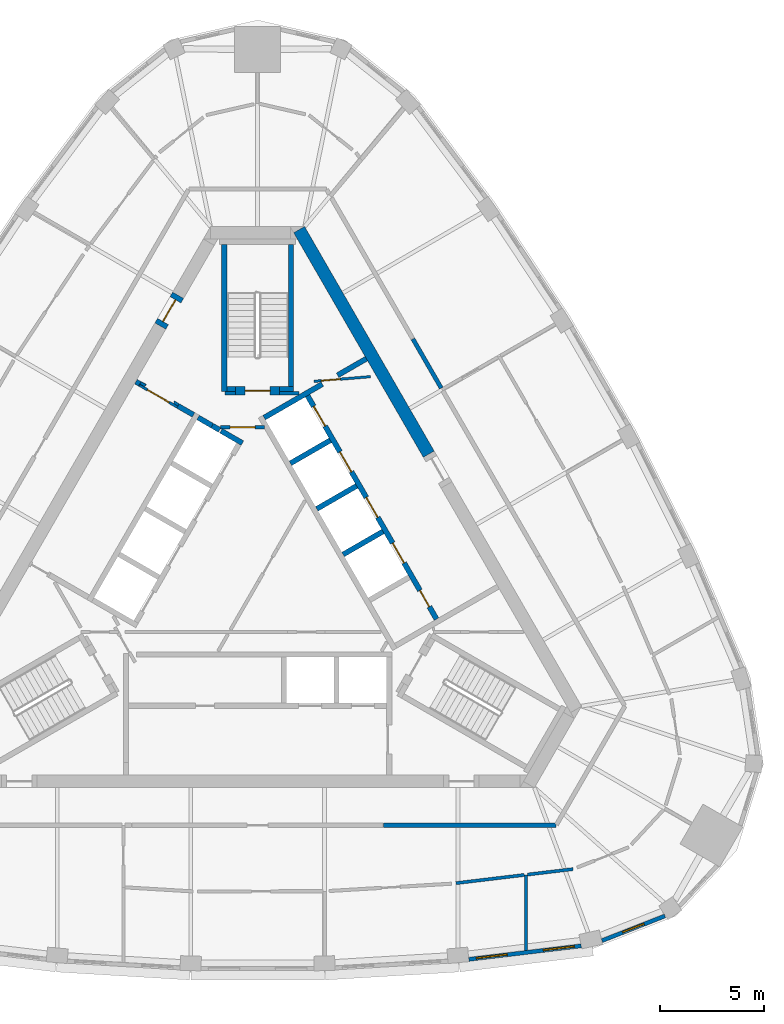
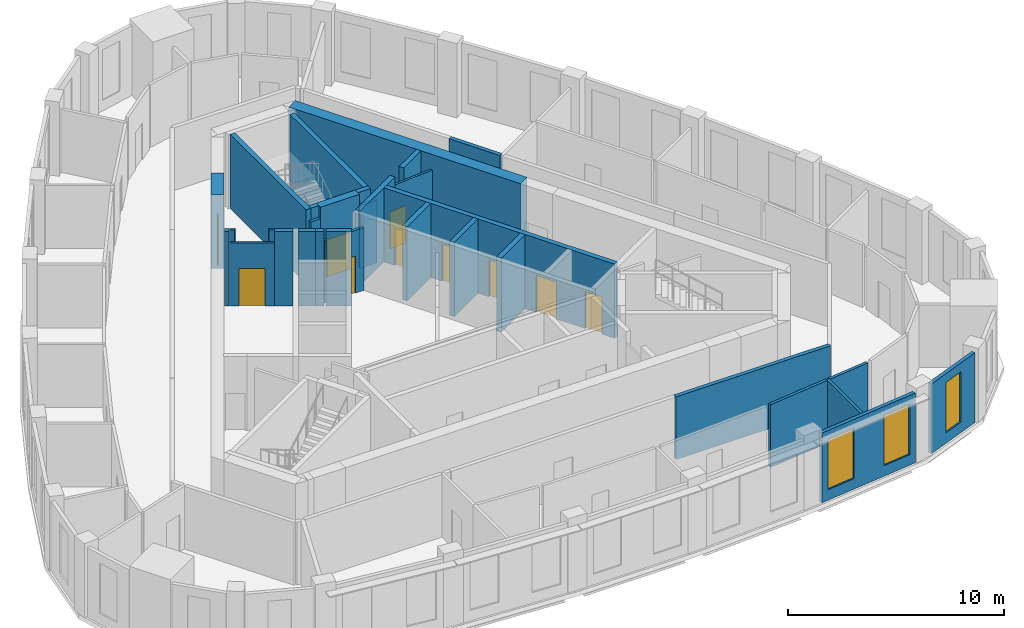
# One storey, part 6 of 10: 32 walls, 10 doors, 3 windows, 13 openings.
"""IFC4 building model written with IfcOpenShell, lengths in metres."""

import ifcopenshell
import ifcopenshell.guid

model = None  # the IFC model being written
_history = None  # IfcOwnerHistory: only IFC2X3 demands one
_inside = {}  # id of a spatial element -> (the spatial element, [elements in it])
_under = {}  # id of a project, library or spatial element -> (it, [spatial elements below it])
_declared = {}  # id of a project -> (the project, [libraries it declares])
_typed = {}  # id of a type object -> (the type object, [elements of that type])
_made_of = {}  # id of a material, layer set ... -> (it, [elements and type objects made of it])


def new_model(schema):
    """Start an empty IFC model of exactly this schema.

    Asked for "IFC4X3", IfcOpenShell would pick the latest addendum, in which some entities
    have other attributes; the version numbers below select the first issue.
    IFC2X3 requires an IfcOwnerHistory on every rooted entity: one is made here for all.
    """
    global model, _history
    if schema == "IFC4X3":
        model = ifcopenshell.file(schema_version=(4, 3, 0, 0))
    else:
        model = ifcopenshell.file(schema=schema)
    _inside.clear()
    _under.clear()
    _declared.clear()
    _typed.clear()
    _made_of.clear()
    _history = None
    if model.schema == "IFC2X3":
        org = make("IfcOrganization", Name="unknown")
        user = make(
            "IfcPersonAndOrganization",
            ThePerson=make("IfcPerson", FamilyName="unknown"),
            TheOrganization=org,
        )
        app = make(
            "IfcApplication",
            ApplicationDeveloper=org,
            Version="unknown",
            ApplicationFullName="unknown",
            ApplicationIdentifier="unknown",
        )
        _history = make(
            "IfcOwnerHistory",
            OwningUser=user,
            OwningApplication=app,
            ChangeAction="ADDED",
            CreationDate=0,
        )
    return model


def make(cls, **values):
    """One entity of the class cls with the attributes given. An attribute that is None is left unset."""
    return model.create_entity(
        cls, **{name: value for name, value in values.items() if value is not None}
    )


def rooted(cls, **values):
    """An entity with a GlobalId (a new one), such as an element, a storey or a relation."""
    return make(cls, GlobalId=ifcopenshell.guid.new(), OwnerHistory=_history, **values)


def si_unit(unit_type, name, prefix=None):
    """IfcSIUnit, for example si_unit("LENGTHUNIT", "METRE", prefix="MILLI")."""
    return make("IfcSIUnit", UnitType=unit_type, Prefix=prefix, Name=name)


def assignment(units):
    """IfcUnitAssignment: the units of a project."""
    return None if units is None else make("IfcUnitAssignment", Units=units)


def point(xyz):
    """IfcCartesianPoint."""
    return None if xyz is None else make("IfcCartesianPoint", Coordinates=xyz)


def direction(xyz):
    """IfcDirection."""
    return None if xyz is None else make("IfcDirection", DirectionRatios=xyz)


def frame(location, z_axis=None, x_axis=None):
    """IfcAxis2Placement3D, a coordinate frame: its origin and axes. An axis left out is left unset."""
    return make(
        "IfcAxis2Placement3D",
        Location=point(location),
        Axis=direction(z_axis),
        RefDirection=direction(x_axis),
    )


def frame_2d(location, x_axis=None):
    """IfcAxis2Placement2D, a coordinate frame in the plane: its origin and x axis."""
    return make(
        "IfcAxis2Placement2D", Location=point(location), RefDirection=direction(x_axis)
    )


def origin():
    """The frame at (0, 0, 0) with its axes left unset."""
    return frame((0.0, 0.0, 0.0))


def place(relative_to, where):
    """IfcLocalPlacement: puts the frame where relative to a parent placement (None: the world)."""
    return make(
        "IfcLocalPlacement", PlacementRelTo=relative_to, RelativePlacement=where
    )


def context(
    kind, dimensions, precision=None, world=None, true_north=None, identifier=None
):
    """IfcGeometricRepresentationContext, for example the 3D "Model" context."""
    return make(
        "IfcGeometricRepresentationContext",
        ContextIdentifier=identifier,
        ContextType=kind,
        CoordinateSpaceDimension=dimensions,
        Precision=precision,
        WorldCoordinateSystem=world,
        TrueNorth=true_north,
    )


def subcontext(parent, identifier, kind, view, scale=None):
    """IfcGeometricRepresentationSubContext, for example "Body" below "Model"."""
    return make(
        "IfcGeometricRepresentationSubContext",
        ContextIdentifier=identifier,
        ContextType=kind,
        ParentContext=parent,
        TargetScale=scale,
        TargetView=view,
    )


def project(units=None, contexts=None):
    """IfcProject with its units and contexts."""
    return rooted(
        "IfcProject",
        Name="project",
        RepresentationContexts=contexts,
        UnitsInContext=assignment(units),
    )


def spatial(cls, under=None, at=None, **own):
    """A site, building, storey or space (cls), placed at a placement, below another one or the project."""
    s = rooted(cls, ObjectPlacement=at, **own)
    if under is not None:
        _under.setdefault(under.id(), (under, []))[1].append(s)
    return s


def polyline(points):
    """IfcPolyline through the points."""
    return make("IfcPolyline", Points=[point(p) for p in points])


def profile(cls, at=None, kind="AREA", **sizes):
    """A parametric profile (cls). Its sizes go by their IFC names, for example OverallWidth=200.0."""
    return make(cls, ProfileType=kind, Position=at, **sizes)


def rectangle(**sizes):
    """IfcRectangleProfileDef."""
    return profile("IfcRectangleProfileDef", **sizes)


def outline(outer, holes=None, kind="AREA"):
    """IfcArbitraryClosedProfileDef: a profile drawn as a closed curve; with holes, ...WithVoids."""
    if holes is None:
        return make("IfcArbitraryClosedProfileDef", ProfileType=kind, OuterCurve=outer)
    return make(
        "IfcArbitraryProfileDefWithVoids",
        ProfileType=kind,
        OuterCurve=outer,
        InnerCurves=holes,
    )


def extrude(swept, where, along, depth):
    """IfcExtrudedAreaSolid: the profile swept, set in the frame where, extruded along a direction by depth."""
    return make(
        "IfcExtrudedAreaSolid",
        SweptArea=swept,
        Position=where,
        ExtrudedDirection=direction(along),
        Depth=depth,
    )


def shape(context_of_items, identifier, shape_type, items):
    """IfcShapeRepresentation: the items that make up one representation, for example the "Body"."""
    return make(
        "IfcShapeRepresentation",
        ContextOfItems=context_of_items,
        RepresentationIdentifier=identifier,
        RepresentationType=shape_type,
        Items=items,
    )


def material(Name=None, Category=None):
    """IfcMaterial."""
    return make("IfcMaterial", Name=Name, Category=Category)


def layer(
    of_material, thickness, ventilated=None, Name=None, Category=None, Priority=None
):
    """IfcMaterialLayer: one layer of a wall or slab, of a material (None: an air gap)."""
    return make(
        "IfcMaterialLayer",
        Material=of_material,
        LayerThickness=thickness,
        IsVentilated=ventilated,
        Name=Name,
        Category=Category,
        Priority=Priority,
    )


def layer_set(layers, Name=None):
    """IfcMaterialLayerSet."""
    return make("IfcMaterialLayerSet", MaterialLayers=layers, LayerSetName=Name)


def made_of(thing, what):
    """Note that an element or type object is made of a material, layer set ...; save() writes the relation."""
    if what is not None:
        _made_of.setdefault(what.id(), (what, []))[1].append(thing)
    return thing


def type_object(cls, material=None, **own):
    """A type object (cls), such as IfcWallType, which elements share."""
    return made_of(rooted(cls, **own), material)


def element(
    cls,
    number,
    at=None,
    inside=None,
    cuts=None,
    type_object=None,
    material=None,
    context=None,
    identifier="Body",
    shape_type=None,
    held_by="IfcProductDefinitionShape",
    body=None,
    shapes=None,
    **own,
):
    """One element of the class cls, such as IfcWall. Its Tag is "e" and its number.

    at: its placement. inside: the storey or other place that contains it. cuts: it is an
    opening in that element (IfcRelVoidsElement). A single representation is given by context,
    identifier, shape_type and body (its items); several are given by shapes. held_by: the class
    of the entity that holds the representations. save() writes the other relations.
    """
    e = rooted(cls, Tag="e%d" % number, ObjectPlacement=at, **own)
    if body is not None:
        shapes = [shape(context, identifier, shape_type, body)]
    if shapes is not None:
        e.Representation = make(held_by, Representations=shapes)
    if inside is not None:
        _inside.setdefault(inside.id(), (inside, []))[1].append(e)
    if cuts is not None:
        rooted(
            "IfcRelVoidsElement", RelatingBuildingElement=cuts, RelatedOpeningElement=e
        )
    if type_object is not None:
        _typed.setdefault(type_object.id(), (type_object, []))[1].append(e)
    return made_of(e, material)


def fill(opening, filler):
    """IfcRelFillsElement: the door or window that sits in an opening."""
    return rooted(
        "IfcRelFillsElement",
        RelatingOpeningElement=opening,
        RelatedBuildingElement=filler,
    )


def aggregate(whole, parts):
    """IfcRelAggregates: a whole, such as a stair, and the parts it consists of."""
    return rooted("IfcRelAggregates", RelatingObject=whole, RelatedObjects=parts)


def save(model, path):
    """Write the relations noted so far, then the file.

    IfcRelAggregates (storeys below a building ...), IfcRelContainedInSpatialStructure (elements
    in a storey), IfcRelDefinesByType, IfcRelAssociatesMaterial and IfcRelDeclares: one each for
    every whole, place, type object, material and project.
    """
    for whole, parts in _under.values():
        aggregate(whole, parts)
    for where, things in _inside.values():
        rooted(
            "IfcRelContainedInSpatialStructure",
            RelatedElements=things,
            RelatingStructure=where,
        )
    for kind, things in _typed.values():
        rooted("IfcRelDefinesByType", RelatedObjects=things, RelatingType=kind)
    for what, things in _made_of.values():
        rooted("IfcRelAssociatesMaterial", RelatedObjects=things, RelatingMaterial=what)
    for by, libraries in _declared.values():
        rooted("IfcRelDeclares", RelatingContext=by, RelatedDefinitions=libraries)
    model.write(path)


model = new_model("IFC4")

# Units and contexts
model_context = context("Model", 3, precision=1e-05, world=origin(), true_north=direction((0.0, 1.0)))
body_context = subcontext(model_context, "Body", "Model", "MODEL_VIEW")
ifc_project = project(units=[si_unit("LENGTHUNIT", "METRE"), si_unit("AREAUNIT", "SQUARE_METRE"), si_unit("VOLUMEUNIT", "CUBIC_METRE"), si_unit("PLANEANGLEUNIT", "RADIAN"), si_unit("MASSUNIT", "GRAM", prefix="KILO")], contexts=[model_context])

# Site, building, storey
site_placement = place(None, origin())
site = spatial("IfcSite", under=ifc_project, at=site_placement, CompositionType="ELEMENT")
building_placement = place(site_placement, origin())
building = spatial("IfcBuilding", under=site, at=building_placement, Name="Mestral Congress Tower", CompositionType="ELEMENT")
storey_placement = place(building_placement, frame((0.0, 0.0, 283.800048828125)))
storey = spatial("IfcBuildingStorey", under=building, at=storey_placement, Name="L66", CompositionType="ELEMENT", Elevation=283.800048828125)

# Walls
ifc_material_1 = material(Name="Fire-rated board partition")
ifc_layer_1 = layer(ifc_material_1, 0.14990234375)
ifc_layer_set_1 = layer_set([ifc_layer_1], Name="Fire-rated board partition")
wall_type_1 = type_object("IfcWallType", Name="Core partition 150", PredefinedType="PARTITIONING", material=ifc_layer_set_1)
wall_1_placement = place(storey_placement, frame((1.050048828125, 8.62548828125, 0.0), z_axis=(0.0, 0.0, 1.0), x_axis=(1.0, 0.0, 0.0)))
element("IfcWall", 1, at=wall_1_placement, inside=storey, type_object=wall_type_1, Name="L66 core wall", PredefinedType="PARTITIONING", context=body_context, shape_type="SweptSolid", body=[
    extrude(rectangle(XDim=0.9287109375, YDim=0.14990234375, at=frame_2d((0.46435546875, 0.0))), origin(), (0.0, 0.0, 1.0), 3.550048828125),
])
wall_2_placement = place(storey_placement, frame((-1.56396484375, 8.62548828125, 0.0), z_axis=(0.0, 0.0, 1.0), x_axis=(1.0, 0.0, 0.0)))
element("IfcWall", 2, at=wall_2_placement, inside=storey, type_object=wall_type_1, Name="L66 core wall", PredefinedType="PARTITIONING", context=body_context, shape_type="SweptSolid", body=[
    extrude(rectangle(XDim=0.513916015625, YDim=0.14990234375, at=frame_2d((0.2568359375, 0.0))), origin(), (0.0, 0.0, 1.0), 3.550048828125),
])

# Wall, opening, door
wall_3_placement = place(storey_placement, frame((-1.765380859375, 7.0, 0.0), z_axis=(0.0, 0.0, 1.0), x_axis=(1.0, 0.0, 0.0)))
wall_3 = element("IfcWall", 3, at=wall_3_placement, inside=storey, type_object=wall_type_1, Name="L66 door wall", PredefinedType="PARTITIONING", context=body_context, shape_type="SweptSolid", body=[
    extrude(rectangle(XDim=2.10009765625, YDim=0.14990234375, at=frame_2d((1.050048828125, 0.0))), origin(), (0.0, 0.0, 1.0), 3.550048828125),
])
opening_1_placement = place(wall_3_placement, frame((0.449951171875, 0.0, 0.0)))
opening_1 = element("IfcOpeningElement", 4, at=opening_1_placement, cuts=wall_3, Name="Opening CD2-FF", PredefinedType="OPENING", context=body_context, shape_type="SweptSolid", body=[
    extrude(rectangle(XDim=1.199951171875, YDim=2.10009765625, at=frame_2d((0.60009765625, 1.050048828125))), frame((0.0, 0.0849609375, 0.0), z_axis=(0.0, -1.0, 0.0), x_axis=(1.0, 0.0, 0.0)), (0.0, 0.0, 1.0), 0.169921875),
])
ifc_material_2 = material(Name="Fire-rated steel door set", Category="steel")
door_type_1 = type_object("IfcDoorType", Name="Core door CD 1200x2100", OperationType="SINGLE_SWING_LEFT", PredefinedType="DOOR", material=ifc_material_2)
door_1_placement = place(opening_1_placement, origin())
door_1 = element("IfcDoor", 5, at=door_1_placement, inside=storey, type_object=door_type_1, Name="Door CD2-FF", OperationType="SINGLE_SWING_LEFT", OverallHeight=2.10009765625, OverallWidth=1.199951171875, PredefinedType="DOOR", context=body_context, shape_type="SweptSolid", body=[
    extrude(rectangle(XDim=1.199951171875, YDim=2.10009765625, at=frame_2d((0.60009765625, 1.050048828125))), frame((0.0, 0.02490234375, 0.0), z_axis=(0.0, -1.0, 0.0), x_axis=(1.0, 0.0, 0.0)), (0.0, 0.0, 1.0), 0.050048828125),
])
fill(opening_1, door_1)

ifc_layer_2 = layer(ifc_material_1, 0.1201171875)
ifc_layer_set_2 = layer_set([ifc_layer_2], Name="Fire-rated board partition")
wall_type_2 = type_object("IfcWallType", Name="Core partition 150 door-wall 120", PredefinedType="PARTITIONING", material=ifc_layer_set_2)
wall_4_placement = place(storey_placement, frame((5.3984375, 9.418701171875, 0.0), z_axis=(0.0, 0.0, 1.0), x_axis=(-0.996653416376, -0.081743303248, 0.0)))
wall_4 = element("IfcWall", 6, at=wall_4_placement, inside=storey, type_object=wall_type_2, Name="L66 door wall", PredefinedType="PARTITIONING", context=body_context, shape_type="SweptSolid", body=[
    extrude(rectangle(XDim=2.699951171875, YDim=0.119873046875, at=frame_2d((1.35009765625, 0.0))), origin(), (0.0, 0.0, 1.0), 3.550048828125),
])
opening_2_placement = place(wall_4_placement, frame((1.449951171875, 0.0, 0.0)))
opening_2 = element("IfcOpeningElement", 7, at=opening_2_placement, cuts=wall_4, Name="Opening TD2", PredefinedType="OPENING", context=body_context, shape_type="SweptSolid", body=[
    extrude(rectangle(XDim=0.89990234375, YDim=2.10009765625, at=frame_2d((0.449951171875, 1.050048828125))), frame((0.0, 0.06982421875, 0.0), z_axis=(0.0, -1.0, 0.0), x_axis=(1.0, 0.0, 0.0)), (0.0, 0.0, 1.0), 0.139892578125),
])
door_type_2 = type_object("IfcDoorType", Name="Core door SR 900x2100", OperationType="SINGLE_SWING_LEFT", PredefinedType="DOOR", material=ifc_material_2)
door_2_placement = place(opening_2_placement, origin())
door_2 = element("IfcDoor", 8, at=door_2_placement, inside=storey, type_object=door_type_2, Name="Door TD2", OperationType="SINGLE_SWING_LEFT", OverallHeight=2.10009765625, OverallWidth=0.89990234375, PredefinedType="DOOR", context=body_context, shape_type="SweptSolid", body=[
    extrude(rectangle(XDim=0.89990234375, YDim=2.10009765625, at=frame_2d((0.449951171875, 1.050048828125))), frame((0.0, 0.02490234375, 0.0), z_axis=(0.0, -1.0, 0.0), x_axis=(1.0, 0.0, 0.0)), (0.0, 0.0, 1.0), 0.050048828125),
])
fill(opening_2, door_2)

wall_5_placement = place(storey_placement, frame((-5.65869140625, 9.01171875, 0.0), z_axis=(0.0, 0.0, 1.0), x_axis=(0.866009402589, -0.500027713859, 0.0)))
wall_5 = element("IfcWall", 9, at=wall_5_placement, inside=storey, type_object=wall_type_2, Name="L66 door wall", PredefinedType="PARTITIONING", context=body_context, shape_type="SweptSolid", body=[
    extrude(rectangle(XDim=2.10009765625, YDim=0.1201171875, at=frame_2d((1.050048828125, 0.0))), origin(), (0.0, 0.0, 1.0), 3.550048828125),
])
opening_3_placement = place(wall_5_placement, frame((0.449951171875, 0.0, 0.0)))
opening_3 = element("IfcOpeningElement", 10, at=opening_3_placement, cuts=wall_5, Name="Opening LB2-WL2", PredefinedType="OPENING", context=body_context, shape_type="SweptSolid", body=[
    extrude(rectangle(XDim=1.199951171875, YDim=2.10009765625, at=frame_2d((0.60009765625, 1.050048828125))), frame((0.0, 0.070068359375, 0.0), z_axis=(0.0, -1.0, 0.0), x_axis=(1.0, 0.0, 0.0)), (0.0, 0.0, 1.0), 0.14013671875),
])
door_type_3 = type_object("IfcDoorType", Name="Core door LB 1200x2100", OperationType="SINGLE_SWING_LEFT", PredefinedType="DOOR", material=ifc_material_2)
door_3_placement = place(opening_3_placement, origin())
door_3 = element("IfcDoor", 11, at=door_3_placement, inside=storey, type_object=door_type_3, Name="Door LB2-WL2", OperationType="SINGLE_SWING_LEFT", OverallHeight=2.10009765625, OverallWidth=1.199951171875, PredefinedType="DOOR", context=body_context, shape_type="SweptSolid", body=[
    extrude(rectangle(XDim=1.199951171875, YDim=2.10009765625, at=frame_2d((0.60009765625, 1.050048828125))), frame((0.0, 0.02490234375, 0.0), z_axis=(0.0, -1.0, 0.0), x_axis=(1.0, 0.0, 0.0)), (0.0, 0.0, 1.0), 0.050048828125),
])
fill(opening_3, door_3)

# Wall
ifc_material_3 = material(Name="Concrete C60/75", Category="concrete")
ifc_layer_3 = layer(ifc_material_3, 0.60009765625)
ifc_layer_set_3 = layer_set([ifc_layer_3], Name="Concrete C60/75")
wall_type_3 = type_object("IfcWallType", Name="Core wall RC 600", PredefinedType="SOLIDWALL", material=ifc_layer_set_3)
wall_6_placement = place(storey_placement, frame((1.98876953125, 16.45556640625, 0.0), z_axis=(0.0, 0.0, 1.0), x_axis=(0.49999102663, -0.8660305845, 0.0)))
element("IfcWall", 12, at=wall_6_placement, inside=storey, type_object=wall_type_3, Name="L66 core wall", PredefinedType="SOLIDWALL", context=body_context, shape_type="SweptSolid", body=[
    extrude(rectangle(XDim=12.406494140625, YDim=0.60009765625, at=frame_2d((6.203125, 0.0))), origin(), (0.0, 0.0, 1.0), 4.199951171875),
])

# Wall, opening, door
wall_7_placement = place(storey_placement, frame((-4.65234375, 11.842041015625, 0.0), z_axis=(0.0, 0.0, 1.0), x_axis=(0.500062241894, 0.865989465428, 0.0)))
wall_7 = element("IfcWall", 13, at=wall_7_placement, inside=storey, type_object=wall_type_3, Name="L66 door wall", PredefinedType="SOLIDWALL", context=body_context, shape_type="SweptSolid", body=[
    extrude(rectangle(XDim=1.699951171875, YDim=0.60009765625, at=frame_2d((0.85009765625, 0.0))), origin(), (0.0, 0.0, 1.0), 4.199951171875),
])
opening_4_placement = place(wall_7_placement, frame((0.25, 0.0, 0.0)))
opening_4 = element("IfcOpeningElement", 14, at=opening_4_placement, cuts=wall_7, Name="Opening XD2", PredefinedType="OPENING", context=body_context, shape_type="SweptSolid", body=[
    extrude(rectangle(XDim=1.199951171875, YDim=2.10009765625, at=frame_2d((0.60009765625, 1.050048828125))), frame((0.0, 0.31005859375, 0.0), z_axis=(0.0, -1.0, 0.0), x_axis=(1.0, 0.0, 0.0)), (0.0, 0.0, 1.0), 0.6201171875),
])
door_type_4 = type_object("IfcDoorType", Name="Core door XD 1200x2100", OperationType="SINGLE_SWING_LEFT", PredefinedType="DOOR", material=ifc_material_2)
door_4_placement = place(opening_4_placement, origin())
door_4 = element("IfcDoor", 15, at=door_4_placement, inside=storey, type_object=door_type_4, Name="Door XD2", OperationType="SINGLE_SWING_LEFT", OverallHeight=2.10009765625, OverallWidth=1.199951171875, PredefinedType="DOOR", context=body_context, shape_type="SweptSolid", body=[
    extrude(rectangle(XDim=1.199951171875, YDim=2.10009765625, at=frame_2d((0.60009765625, 1.050048828125))), frame((0.0, 0.02490234375, 0.0), z_axis=(0.0, -1.0, 0.0), x_axis=(1.0, 0.0, 0.0)), (0.0, 0.0, 1.0), 0.050048828125),
])
fill(opening_4, door_4)

# Wall, openings, windows
ifc_material_4 = material(Name="Precast concrete C40/50 with limestone facing", Category="masonry")
ifc_layer_4 = layer(ifc_material_4, 0.18994140625)
ifc_layer_set_4 = layer_set([ifc_layer_4], Name="Precast concrete C40/50 with limestone facing")
wall_type_4 = type_object("IfcWallType", Name="Facade stone wall 190", PredefinedType="SOLIDWALL", material=ifc_layer_set_4)
wall_8_placement = place(storey_placement, frame((10.110595703125, -18.4677734375, 0.0), z_axis=(0.0, 0.0, 1.0), x_axis=(0.992885582795, 0.119072328769, 0.0)))
wall_8 = element("IfcWall", 16, at=wall_8_placement, inside=storey, type_object=wall_type_4, Name="Facade wall F0-04", PredefinedType="SOLIDWALL", context=body_context, shape_type="SweptSolid", body=[
    extrude(rectangle(XDim=5.4150390625, YDim=0.18994140625, at=frame_2d((2.70751953125, 0.0))), origin(), (0.0, 0.0, 1.0), 3.949951171875),
])
opening_5_placement = place(wall_8_placement, frame((0.357421875, 0.0, 0.60009765625)))
opening_5 = element("IfcOpeningElement", 17, at=opening_5_placement, cuts=wall_8, Name="Opening W6", PredefinedType="OPENING", context=body_context, shape_type="SweptSolid", body=[
    extrude(rectangle(XDim=1.5, YDim=2.85009765625, at=frame_2d((0.75, 1.425048828125))), frame((0.0, 0.10498046875, 0.0), z_axis=(0.0, -1.0, 0.0), x_axis=(1.0, 0.0, 0.0)), (0.0, 0.0, 1.0), 0.2099609375),
])
opening_6_placement = place(wall_8_placement, frame((3.592529296875, 0.0, 0.60009765625)))
opening_6 = element("IfcOpeningElement", 18, at=opening_6_placement, cuts=wall_8, Name="Opening W6", PredefinedType="OPENING", context=body_context, shape_type="SweptSolid", body=[
    extrude(rectangle(XDim=1.5, YDim=2.85009765625, at=frame_2d((0.75, 1.425048828125))), frame((0.0, 0.10498046875, 0.0), z_axis=(0.0, -1.0, 0.0), x_axis=(1.0, 0.0, 0.0)), (0.0, 0.0, 1.0), 0.2099609375),
])
ifc_material_5 = material(Name="Clear low-emissivity double glazing", Category="glass")
window_type_1 = type_object("IfcWindowType", Name="Facade punched window 1500 x 2850 sill 600", PartitioningType="SINGLE_PANEL", PredefinedType="WINDOW", material=ifc_material_5)
window_1_placement = place(opening_5_placement, origin())
window_1 = element("IfcWindow", 19, at=window_1_placement, inside=storey, type_object=window_type_1, Name="Window F0-04a", OverallHeight=2.85009765625, OverallWidth=1.5, PartitioningType="SINGLE_PANEL", PredefinedType="WINDOW", context=body_context, shape_type="SweptSolid", body=[
    extrude(rectangle(XDim=1.5, YDim=2.85009765625, at=frame_2d((0.75, 1.425048828125))), frame((0.0, 0.044921875, 0.0), z_axis=(0.0, -1.0, 0.0), x_axis=(1.0, 0.0, 0.0)), (0.0, 0.0, 1.0), 0.06005859375),
])
fill(opening_5, window_1)
window_2_placement = place(opening_6_placement, origin())
window_2 = element("IfcWindow", 20, at=window_2_placement, inside=storey, type_object=window_type_1, Name="Window F0-04b", OverallHeight=2.85009765625, OverallWidth=1.5, PartitioningType="SINGLE_PANEL", PredefinedType="WINDOW", context=body_context, shape_type="SweptSolid", body=[
    extrude(rectangle(XDim=1.5, YDim=2.85009765625, at=frame_2d((0.75, 1.425048828125))), frame((0.0, 0.044921875, 0.0), z_axis=(0.0, -1.0, 0.0), x_axis=(1.0, 0.0, 0.0)), (0.0, 0.0, 1.0), 0.06005859375),
])
fill(opening_6, window_2)

# Wall, opening, window
wall_9_placement = place(storey_placement, frame((16.48291015625, -17.572998046875, 0.0), z_axis=(0.0, 0.0, 1.0), x_axis=(0.93100888477, 0.364996515709, 0.0)))
wall_9 = element("IfcWall", 21, at=wall_9_placement, inside=storey, type_object=wall_type_4, Name="Facade wall K0-0", PredefinedType="SOLIDWALL", context=body_context, shape_type="SweptSolid", body=[
    extrude(rectangle(XDim=3.23681640625, YDim=0.18994140625, at=frame_2d((1.618408203125, 0.0))), origin(), (0.0, 0.0, 1.0), 3.949951171875),
])
opening_7_placement = place(wall_9_placement, frame((1.068359375, 0.0, 0.60009765625)))
opening_7 = element("IfcOpeningElement", 22, at=opening_7_placement, cuts=wall_9, Name="Opening W7", PredefinedType="OPENING", context=body_context, shape_type="SweptSolid", body=[
    extrude(rectangle(XDim=1.10009765625, YDim=2.85009765625, at=frame_2d((0.550048828125, 1.425048828125))), frame((0.0, 0.10498046875, 0.0), z_axis=(0.0, -1.0, 0.0), x_axis=(1.0, 0.0, 0.0)), (0.0, 0.0, 1.0), 0.2099609375),
])
window_type_2 = type_object("IfcWindowType", Name="Facade punched window 1100 x 2850 sill 600", PartitioningType="SINGLE_PANEL", PredefinedType="WINDOW", material=ifc_material_5)
window_3_placement = place(opening_7_placement, origin())
window_3 = element("IfcWindow", 23, at=window_3_placement, inside=storey, type_object=window_type_2, Name="Window K0-0", OverallHeight=2.85009765625, OverallWidth=1.10009765625, PartitioningType="SINGLE_PANEL", PredefinedType="WINDOW", context=body_context, shape_type="SweptSolid", body=[
    extrude(rectangle(XDim=1.10009765625, YDim=2.85009765625, at=frame_2d((0.550048828125, 1.425048828125))), frame((0.0, 0.044921875, 0.0), z_axis=(0.0, -1.0, 0.0), x_axis=(1.0, 0.0, 0.0)), (0.0, 0.0, 1.0), 0.06005859375),
])
fill(opening_7, window_3)

# Walls
ifc_material_6 = material(Name="Plasterboard partition on steel studs", Category="steel")
ifc_layer_5 = layer(ifc_material_6, 0.14990234375)
ifc_layer_set_5 = layer_set([ifc_layer_5], Name="Plasterboard partition on steel studs")
wall_type_5 = type_object("IfcWallType", Name="Office partition 150", PredefinedType="PARTITIONING", material=ifc_layer_set_5)
wall_10_placement = place(storey_placement, frame((12.83935546875, -14.419189453125, 0.0), z_axis=(0.0, 0.0, 1.0), x_axis=(0.0, -1.0, 0.0)))
element("IfcWall", 24, at=wall_10_placement, inside=storey, type_object=wall_type_5, Name="Partition", PredefinedType="PARTITIONING", context=body_context, shape_type="SweptSolid", body=[
    extrude(rectangle(XDim=3.625732421875, YDim=0.14990234375, at=frame_2d((1.81298828125, 0.0))), origin(), (0.0, 0.0, 1.0), 3.550048828125),
])
wall_11_placement = place(storey_placement, frame((9.492431640625, -14.8203125, 0.0), z_axis=(0.0, 0.0, 1.0), x_axis=(0.992887701721, 0.119054658757, 0.0)))
element("IfcWall", 25, at=wall_11_placement, inside=storey, type_object=wall_type_5, Name="Partition", PredefinedType="PARTITIONING", context=body_context, shape_type="SweptSolid", body=[
    extrude(rectangle(XDim=3.29541015625, YDim=0.14990234375, at=frame_2d((1.647705078125, 0.0))), origin(), (0.0, 0.0, 1.0), 3.550048828125),
])
wall_12_placement = place(storey_placement, frame((12.914306640625, -14.41015625, 0.0), z_axis=(0.0, 0.0, 1.0), x_axis=(0.99288472801, 0.119079456181, 0.0)))
element("IfcWall", 26, at=wall_12_placement, inside=storey, type_object=wall_type_5, Name="Partition", PredefinedType="PARTITIONING", context=body_context, shape_type="SweptSolid", body=[
    extrude(rectangle(XDim=2.19580078125, YDim=0.14990234375, at=frame_2d((1.097900390625, 0.0))), origin(), (0.0, 0.0, 1.0), 3.550048828125),
])
ifc_material_7 = material(Name="Dense masonry wall, plastered", Category="masonry")
ifc_layer_6 = layer(ifc_material_7, 0.199951171875)
ifc_layer_set_6 = layer_set([ifc_layer_6], Name="Dense masonry wall, plastered")
wall_type_6 = type_object("IfcWallType", Name="Office tenancy wall 200", PredefinedType="PARTITIONING", material=ifc_layer_set_6)
wall_13_placement = place(storey_placement, frame((6.030029296875, -12.050048828125, 0.0), z_axis=(0.0, 0.0, 1.0), x_axis=(1.0, 0.0, 0.0)))
element("IfcWall", 27, at=wall_13_placement, inside=storey, type_object=wall_type_6, Name="Tenancy wall", PredefinedType="PARTITIONING", context=body_context, shape_type="SweptSolid", body=[
    extrude(rectangle(XDim=8.25927734375, YDim=0.199951171875, at=frame_2d((4.129638671875, 0.0))), origin(), (0.0, 0.0, 1.0), 3.550048828125),
])
wall_14_placement = place(storey_placement, frame((8.79150390625, 8.87255859375, 0.0), z_axis=(0.0, 0.0, 1.0), x_axis=(-0.499992600721, 0.866029675718, 0.0)))
element("IfcWall", 28, at=wall_14_placement, inside=storey, type_object=wall_type_6, Name="Tenancy wall", PredefinedType="PARTITIONING", context=body_context, shape_type="SweptSolid", body=[
    extrude(rectangle(XDim=2.7119140625, YDim=0.199951171875, at=frame_2d((1.35595703125, 0.0))), origin(), (0.0, 0.0, 1.0), 3.550048828125),
])
ifc_layer_7 = layer(ifc_material_3, 0.25)
ifc_layer_set_7 = layer_set([ifc_layer_7], Name="Concrete C60/75")
wall_type_7 = type_object("IfcWallType", Name="Shaft wall RC 250", PredefinedType="SOLIDWALL", material=ifc_layer_set_7)
wall_15_placement = place(storey_placement, frame((3.10009765625, 9.064453125, 0.0), z_axis=(0.0, 0.0, 1.0), x_axis=(-0.866030133475, -0.499991807846, 0.0)))
element("IfcWall", 29, at=wall_15_placement, inside=storey, type_object=wall_type_7, Name="L66 core wall", PredefinedType="SOLIDWALL", context=body_context, shape_type="SweptSolid", body=[
    extrude(rectangle(XDim=3.216796875, YDim=0.25, at=frame_2d((1.6083984375, 0.0))), origin(), (0.0, 0.0, 1.0), 4.199951171875),
])
wall_16_placement = place(storey_placement, frame((1.57421875, 5.273681640625, 0.0), z_axis=(0.0, 0.0, 1.0), x_axis=(0.866028486751, 0.499994660107, 0.0)))
element("IfcWall", 30, at=wall_16_placement, inside=storey, type_object=wall_type_7, Name="L66 core wall", PredefinedType="SOLIDWALL", context=body_context, shape_type="SweptSolid", body=[
    extrude(rectangle(XDim=2.19970703125, YDim=0.25, at=frame_2d((1.099853515625, 0.0))), origin(), (0.0, 0.0, 1.0), 4.199951171875),
])
for number, where, z_axis, x_axis, name in (
    (31, (2.833984375, 3.091064453125, 0.0), (0.0, 0.0, 1.0), (0.866008176907, 0.50002983664, 0.0), "L66 core wall"),
    (32, (4.093994140625, 0.90869140625, 0.0), (0.0, 0.0, 1.0), (0.866008176907, 0.50002983664, 0.0), "L66 core wall"),
):
    element("IfcWall", number, at=place(storey_placement, frame(where, z_axis=z_axis, x_axis=x_axis)), inside=storey, type_object=wall_type_7, Name=name, PredefinedType="SOLIDWALL", context=body_context, shape_type="SweptSolid", body=[
        extrude(rectangle(XDim=2.199951171875, YDim=0.25, at=frame_2d((1.10009765625, 0.0))), origin(), (0.0, 0.0, 1.0), 4.199951171875),
    ])
wall_17_placement = place(storey_placement, frame((3.82958984375, 9.485595703125, 0.0), z_axis=(0.0, 0.0, 1.0), x_axis=(0.865986202621, 0.500067892261, 0.0)))
element("IfcWall", 33, at=wall_17_placement, inside=storey, type_object=wall_type_7, Name="L66 core wall", PredefinedType="SOLIDWALL", context=body_context, shape_type="SweptSolid", body=[
    extrude(rectangle(XDim=1.590576171875, YDim=0.25, at=frame_2d((0.79541015625, 0.0))), origin(), (0.0, 0.0, 1.0), 4.199951171875),
])
wall_18_placement = place(storey_placement, frame((-1.818603515625, 6.869873046875, 0.0), z_axis=(0.0, 0.0, 1.0), x_axis=(-0.866294599386, 0.499533449405, 0.0)))
element("IfcWall", 34, at=wall_18_placement, inside=storey, type_object=wall_type_7, Name="L66 core wall", PredefinedType="SOLIDWALL", context=body_context, shape_type="SweptSolid", body=[
    extrude(rectangle(XDim=0.41015625, YDim=0.25, at=frame_2d((0.205078125, 0.0))), origin(), (0.0, 0.0, 1.0), 4.199951171875),
])
wall_19_placement = place(storey_placement, frame((-2.849365234375, 7.46484375, 0.0), z_axis=(0.0, 0.0, 1.0), x_axis=(0.865955664968, -0.500120771724, 0.0)))
element("IfcWall", 35, at=wall_19_placement, inside=storey, type_object=wall_type_7, Name="L66 core wall", PredefinedType="SOLIDWALL", context=body_context, shape_type="SweptSolid", body=[
    extrude(rectangle(XDim=0.778076171875, YDim=0.25, at=frame_2d((0.38916015625, 0.0))), origin(), (0.0, 0.0, 1.0), 4.199951171875),
])
wall_20_placement = place(storey_placement, frame((-0.7275390625, 6.23974609375, 0.0), z_axis=(0.0, 0.0, 1.0), x_axis=(-0.866002680491, 0.500039355833, 0.0)))
element("IfcWall", 36, at=wall_20_placement, inside=storey, type_object=wall_type_7, Name="L66 core wall", PredefinedType="SOLIDWALL", context=body_context, shape_type="SweptSolid", body=[
    extrude(rectangle(XDim=1.17822265625, YDim=0.25, at=frame_2d((0.589111328125, 0.0))), origin(), (0.0, 0.0, 1.0), 4.199951171875),
])
wall_21_placement = place(storey_placement, frame((-5.62939453125, 9.06982421875, 0.0), z_axis=(0.0, 0.0, 1.0), x_axis=(-0.866185586049, 0.49972245349, 0.0)))
element("IfcWall", 37, at=wall_21_placement, inside=storey, type_object=wall_type_7, Name="L66 core wall", PredefinedType="SOLIDWALL", context=body_context, shape_type="SweptSolid", body=[
    extrude(rectangle(XDim=0.2197265625, YDim=0.25, at=frame_2d((0.10986328125, 0.0))), origin(), (0.0, 0.0, 1.0), 4.199951171875),
])
wall_22_placement = place(storey_placement, frame((-3.808837890625, 8.018798828125, 0.0), z_axis=(0.0, 0.0, 1.0), x_axis=(0.866010229787, -0.500026281214, 0.0)))
element("IfcWall", 38, at=wall_22_placement, inside=storey, type_object=wall_type_7, Name="L66 core wall", PredefinedType="SOLIDWALL", context=body_context, shape_type="SweptSolid", body=[
    extrude(rectangle(XDim=0.85791015625, YDim=0.25, at=frame_2d((0.428955078125, 0.0))), origin(), (0.0, 0.0, 1.0), 4.199951171875),
])
placement = place(storey_placement, origin())
element("IfcWall", 39, at=placement, inside=storey, type_object=wall_type_7, Name="L66 core wall", PredefinedType="SOLIDWALL", context=body_context, shape_type="SweptSolid", body=[
    extrude(outline(polyline([(-3.748291015625, 8.128173828125), (-3.813232421875, 8.015380859375), (-4.026611328125, 8.138671875), (-4.0166015625, 8.156005859375), (-4.007568359375, 8.17333984375), (-4.000244140625, 8.191650390625), (-3.994873046875, 8.21044921875), (-3.991455078125, 8.229736328125), (-3.98974609375, 8.24951171875), (-3.989990234375, 8.267822265625), (-3.748291015625, 8.128173828125)])), origin(), (0.0, 0.0, 1.0), 4.199951171875),
])
element("IfcWall", 40, at=placement, inside=storey, type_object=wall_type_7, Name="L66 core wall", PredefinedType="SOLIDWALL", context=body_context, shape_type="SweptSolid", body=[
    extrude(outline(polyline([(-5.688720703125, 8.959716796875), (-5.690185546875, 8.960693359375), (-5.565185546875, 9.177001953125), (-5.318603515625, 9.03466796875), (-5.334716796875, 9.02587890625), (-5.3505859375, 9.0146484375), (-5.36572265625, 9.001953125), (-5.37939453125, 8.98779296875), (-5.3916015625, 8.972412109375), (-5.402099609375, 8.955810546875), (-5.412109375, 8.938720703125), (-5.628662109375, 9.063720703125), (-5.628662109375, 9.063720703125), (-5.688720703125, 8.959716796875)])), origin(), (0.0, 0.0, 1.0), 4.199951171875),
])

# Wall, openings, doors
wall_25_placement = place(storey_placement, frame((8.565185546875, -2.185302734375, 0.0), z_axis=(0.0, 0.0, 1.0), x_axis=(-0.499997954832, 0.866026584559, 0.0)))
wall_25 = element("IfcWall", 41, at=wall_25_placement, inside=storey, type_object=wall_type_7, Name="L66 door wall", PredefinedType="SOLIDWALL", context=body_context, shape_type="SweptSolid", body=[
    extrude(rectangle(XDim=12.35009765625, YDim=0.25, at=frame_2d((6.175048828125, 0.0))), origin(), (0.0, 0.0, 1.0), 4.199951171875),
])
opening_8_placement = place(wall_25_placement, frame((0.68505859375, 0.0, 0.0)))
opening_8 = element("IfcOpeningElement", 42, at=opening_8_placement, cuts=wall_25, Name="Opening SR-NEB1", PredefinedType="OPENING", context=body_context, shape_type="SweptSolid", body=[
    extrude(rectangle(XDim=0.89990234375, YDim=2.10009765625, at=frame_2d((0.449951171875, 1.050048828125))), frame((0.0, 0.135009765625, 0.0), z_axis=(0.0, -1.0, 0.0), x_axis=(1.0, 0.0, 0.0)), (0.0, 0.0, 1.0), 0.27001953125),
])
opening_9_placement = place(wall_25_placement, frame((3.10498046875, 0.0, 0.0)))
opening_9 = element("IfcOpeningElement", 43, at=opening_9_placement, cuts=wall_25, Name="Opening LD-NEB2", PredefinedType="OPENING", context=body_context, shape_type="SweptSolid", body=[
    extrude(rectangle(XDim=1.10009765625, YDim=2.10009765625, at=frame_2d((0.550048828125, 1.050048828125))), frame((0.0, 0.135009765625, 0.0), z_axis=(0.0, -1.0, 0.0), x_axis=(1.0, 0.0, 0.0)), (0.0, 0.0, 1.0), 0.27001953125),
])
opening_10_placement = place(wall_25_placement, frame((5.625, 0.0, 0.0)))
opening_10 = element("IfcOpeningElement", 44, at=opening_10_placement, cuts=wall_25, Name="Opening LD-NEB3", PredefinedType="OPENING", context=body_context, shape_type="SweptSolid", body=[
    extrude(rectangle(XDim=1.10009765625, YDim=2.10009765625, at=frame_2d((0.550048828125, 1.050048828125))), frame((0.0, 0.135009765625, 0.0), z_axis=(0.0, -1.0, 0.0), x_axis=(1.0, 0.0, 0.0)), (0.0, 0.0, 1.0), 0.27001953125),
])
opening_11_placement = place(wall_25_placement, frame((8.14501953125, 0.0, 0.0)))
opening_11 = element("IfcOpeningElement", 45, at=opening_11_placement, cuts=wall_25, Name="Opening LD-NEB4", PredefinedType="OPENING", context=body_context, shape_type="SweptSolid", body=[
    extrude(rectangle(XDim=1.10009765625, YDim=2.10009765625, at=frame_2d((0.550048828125, 1.050048828125))), frame((0.0, 0.135009765625, 0.0), z_axis=(0.0, -1.0, 0.0), x_axis=(1.0, 0.0, 0.0)), (0.0, 0.0, 1.0), 0.27001953125),
])
opening_12_placement = place(wall_25_placement, frame((10.6650390625, 0.0, 0.0)))
opening_12 = element("IfcOpeningElement", 46, at=opening_12_placement, cuts=wall_25, Name="Opening LD-NEB5", PredefinedType="OPENING", context=body_context, shape_type="SweptSolid", body=[
    extrude(rectangle(XDim=1.10009765625, YDim=2.10009765625, at=frame_2d((0.550048828125, 1.050048828125))), frame((0.0, 0.135009765625, 0.0), z_axis=(0.0, -1.0, 0.0), x_axis=(1.0, 0.0, 0.0)), (0.0, 0.0, 1.0), 0.27001953125),
])
door_type_5 = type_object("IfcDoorType", Name="Core door LD 1100x2100", OperationType="DOUBLE_DOOR_SLIDING", PredefinedType="DOOR", material=ifc_material_2)
door_5_placement = place(opening_9_placement, origin())
door_5 = element("IfcDoor", 47, at=door_5_placement, inside=storey, type_object=door_type_5, Name="Door LD-NEB2", OperationType="DOUBLE_DOOR_SLIDING", OverallHeight=2.10009765625, OverallWidth=1.10009765625, PredefinedType="DOOR", context=body_context, shape_type="SweptSolid", body=[
    extrude(rectangle(XDim=1.10009765625, YDim=2.10009765625, at=frame_2d((0.550048828125, 1.050048828125))), frame((0.0, 0.02490234375, 0.0), z_axis=(0.0, -1.0, 0.0), x_axis=(1.0, 0.0, 0.0)), (0.0, 0.0, 1.0), 0.050048828125),
])
fill(opening_9, door_5)
door_6_placement = place(opening_10_placement, origin())
door_6 = element("IfcDoor", 48, at=door_6_placement, inside=storey, type_object=door_type_5, Name="Door LD-NEB3", OperationType="DOUBLE_DOOR_SLIDING", OverallHeight=2.10009765625, OverallWidth=1.10009765625, PredefinedType="DOOR", context=body_context, shape_type="SweptSolid", body=[
    extrude(rectangle(XDim=1.10009765625, YDim=2.10009765625, at=frame_2d((0.550048828125, 1.050048828125))), frame((0.0, 0.02490234375, 0.0), z_axis=(0.0, -1.0, 0.0), x_axis=(1.0, 0.0, 0.0)), (0.0, 0.0, 1.0), 0.050048828125),
])
fill(opening_10, door_6)
door_7_placement = place(opening_11_placement, origin())
door_7 = element("IfcDoor", 49, at=door_7_placement, inside=storey, type_object=door_type_5, Name="Door LD-NEB4", OperationType="DOUBLE_DOOR_SLIDING", OverallHeight=2.10009765625, OverallWidth=1.10009765625, PredefinedType="DOOR", context=body_context, shape_type="SweptSolid", body=[
    extrude(rectangle(XDim=1.10009765625, YDim=2.10009765625, at=frame_2d((0.550048828125, 1.050048828125))), frame((0.0, 0.02490234375, 0.0), z_axis=(0.0, -1.0, 0.0), x_axis=(1.0, 0.0, 0.0)), (0.0, 0.0, 1.0), 0.050048828125),
])
fill(opening_11, door_7)
door_8_placement = place(opening_12_placement, origin())
door_8 = element("IfcDoor", 50, at=door_8_placement, inside=storey, type_object=door_type_5, Name="Door LD-NEB5", OperationType="DOUBLE_DOOR_SLIDING", OverallHeight=2.10009765625, OverallWidth=1.10009765625, PredefinedType="DOOR", context=body_context, shape_type="SweptSolid", body=[
    extrude(rectangle(XDim=1.10009765625, YDim=2.10009765625, at=frame_2d((0.550048828125, 1.050048828125))), frame((0.0, 0.02490234375, 0.0), z_axis=(0.0, -1.0, 0.0), x_axis=(1.0, 0.0, 0.0)), (0.0, 0.0, 1.0), 0.050048828125),
])
fill(opening_12, door_8)
door_9_placement = place(opening_8_placement, origin())
door_9 = element("IfcDoor", 51, at=door_9_placement, inside=storey, type_object=door_type_2, Name="Door SR-NEB1", OperationType="SINGLE_SWING_LEFT", OverallHeight=2.10009765625, OverallWidth=0.89990234375, PredefinedType="DOOR", context=body_context, shape_type="SweptSolid", body=[
    extrude(rectangle(XDim=0.89990234375, YDim=2.10009765625, at=frame_2d((0.449951171875, 1.050048828125))), frame((0.0, 0.02490234375, 0.0), z_axis=(0.0, -1.0, 0.0), x_axis=(1.0, 0.0, 0.0)), (0.0, 0.0, 1.0), 0.050048828125),
])
fill(opening_8, door_9)

# Walls
ifc_layer_8 = layer(ifc_material_3, 0.25)
ifc_layer_set_8 = layer_set([ifc_layer_8], Name="Concrete C60/75")
wall_type_8 = type_object("IfcWallType", Name="Stair wall RC 250", PredefinedType="SOLIDWALL", material=ifc_layer_set_8)
wall_26_placement = place(storey_placement, frame((1.60009765625, 8.949951171875, 0.0), z_axis=(0.0, 0.0, 1.0), x_axis=(0.0, 1.0, 0.0)))
element("IfcWall", 52, at=wall_26_placement, inside=storey, type_object=wall_type_8, Name="L66 core wall", PredefinedType="SOLIDWALL", context=body_context, shape_type="SweptSolid", body=[
    extrude(rectangle(XDim=6.800048828125, YDim=0.25, at=frame_2d((3.39990234375, 0.0))), origin(), (0.0, 0.0, 1.0), 4.199951171875),
])
wall_27_placement = place(storey_placement, frame((1.050048828125, 8.824951171875, 0.0), z_axis=(0.0, 0.0, 1.0), x_axis=(1.0, 0.0, 0.0)))
element("IfcWall", 53, at=wall_27_placement, inside=storey, type_object=wall_type_8, Name="L66 core wall", PredefinedType="SOLIDWALL", context=body_context, shape_type="SweptSolid", body=[
    extrude(rectangle(XDim=0.675048828125, YDim=0.25, at=frame_2d((0.33740234375, 0.0))), origin(), (0.0, 0.0, 1.0), 4.199951171875),
])
wall_28_placement = place(storey_placement, frame((-1.60009765625, 8.699951171875, 0.0), z_axis=(0.0, 0.0, 1.0), x_axis=(0.0, 1.0, 0.0)))
element("IfcWall", 54, at=wall_28_placement, inside=storey, type_object=wall_type_8, Name="L66 core wall", PredefinedType="SOLIDWALL", context=body_context, shape_type="SweptSolid", body=[
    extrude(rectangle(XDim=7.050048828125, YDim=0.25, at=frame_2d((3.52490234375, 0.0))), origin(), (0.0, 0.0, 1.0), 4.199951171875),
])
wall_29_placement = place(storey_placement, frame((-1.47509765625, 8.824951171875, 0.0), z_axis=(0.0, 0.0, 1.0), x_axis=(1.0, 0.0, 0.0)))
element("IfcWall", 55, at=wall_29_placement, inside=storey, type_object=wall_type_8, Name="L66 core wall", PredefinedType="SOLIDWALL", context=body_context, shape_type="SweptSolid", body=[
    extrude(rectangle(XDim=0.425048828125, YDim=0.25, at=frame_2d((0.21240234375, 0.0))), origin(), (0.0, 0.0, 1.0), 4.199951171875),
])

# Wall, opening, door
ifc_layer_9 = layer(ifc_material_3, 0.39990234375)
ifc_layer_set_9 = layer_set([ifc_layer_9], Name="Concrete C60/75")
wall_type_9 = type_object("IfcWallType", Name="Stair wall RC 250 door-wall 400", PredefinedType="SOLIDWALL", material=ifc_layer_set_9)
wall_30_placement = place(storey_placement, frame((1.050048828125, 8.75, 0.0), z_axis=(0.0, 0.0, 1.0), x_axis=(-1.0, 0.0, 0.0)))
wall_30 = element("IfcWall", 56, at=wall_30_placement, inside=storey, type_object=wall_type_9, Name="L66 door wall", PredefinedType="SOLIDWALL", context=body_context, shape_type="SweptSolid", body=[
    extrude(rectangle(XDim=2.10009765625, YDim=0.39990234375, at=frame_2d((1.050048828125, 0.0))), origin(), (0.0, 0.0, 1.0), 4.199951171875),
])
opening_13_placement = place(wall_30_placement, frame((0.449951171875, 0.0, 0.0)))
opening_13 = element("IfcOpeningElement", 57, at=opening_13_placement, cuts=wall_30, Name="Opening ST-D2", PredefinedType="OPENING", context=body_context, shape_type="SweptSolid", body=[
    extrude(rectangle(XDim=1.199951171875, YDim=2.10009765625, at=frame_2d((0.60009765625, 1.050048828125))), frame((0.0, 0.2099609375, 0.0), z_axis=(0.0, -1.0, 0.0), x_axis=(1.0, 0.0, 0.0)), (0.0, 0.0, 1.0), 0.419921875),
])
door_type_6 = type_object("IfcDoorType", Name="Core door ST 1200x2100", OperationType="SINGLE_SWING_LEFT", PredefinedType="DOOR", material=ifc_material_2)
door_10_placement = place(opening_13_placement, origin())
door_10 = element("IfcDoor", 58, at=door_10_placement, inside=storey, type_object=door_type_6, Name="Door ST-D2", OperationType="SINGLE_SWING_LEFT", OverallHeight=2.10009765625, OverallWidth=1.199951171875, PredefinedType="DOOR", context=body_context, shape_type="SweptSolid", body=[
    extrude(rectangle(XDim=1.199951171875, YDim=2.10009765625, at=frame_2d((0.60009765625, 1.050048828125))), frame((0.0, 0.02490234375, 0.0), z_axis=(0.0, -1.0, 0.0), x_axis=(1.0, 0.0, 0.0)), (0.0, 0.0, 1.0), 0.050048828125),
])
fill(opening_13, door_10)

save(model, "model.ifc")
